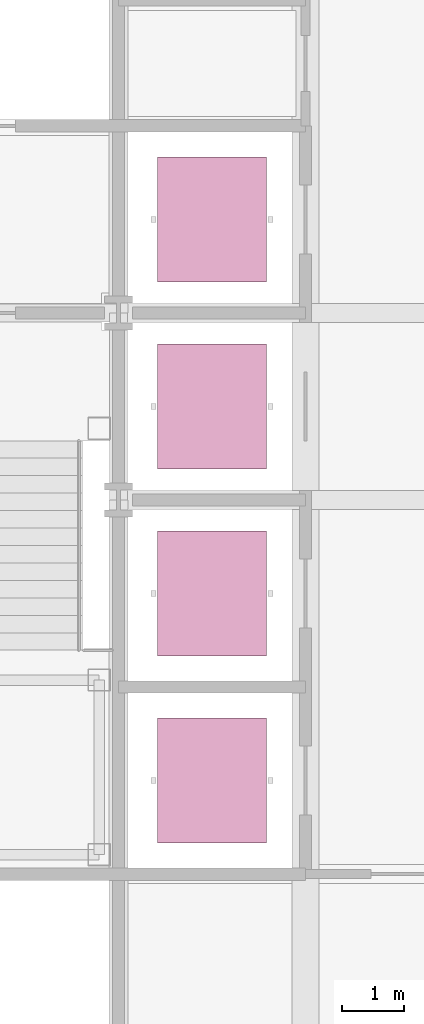
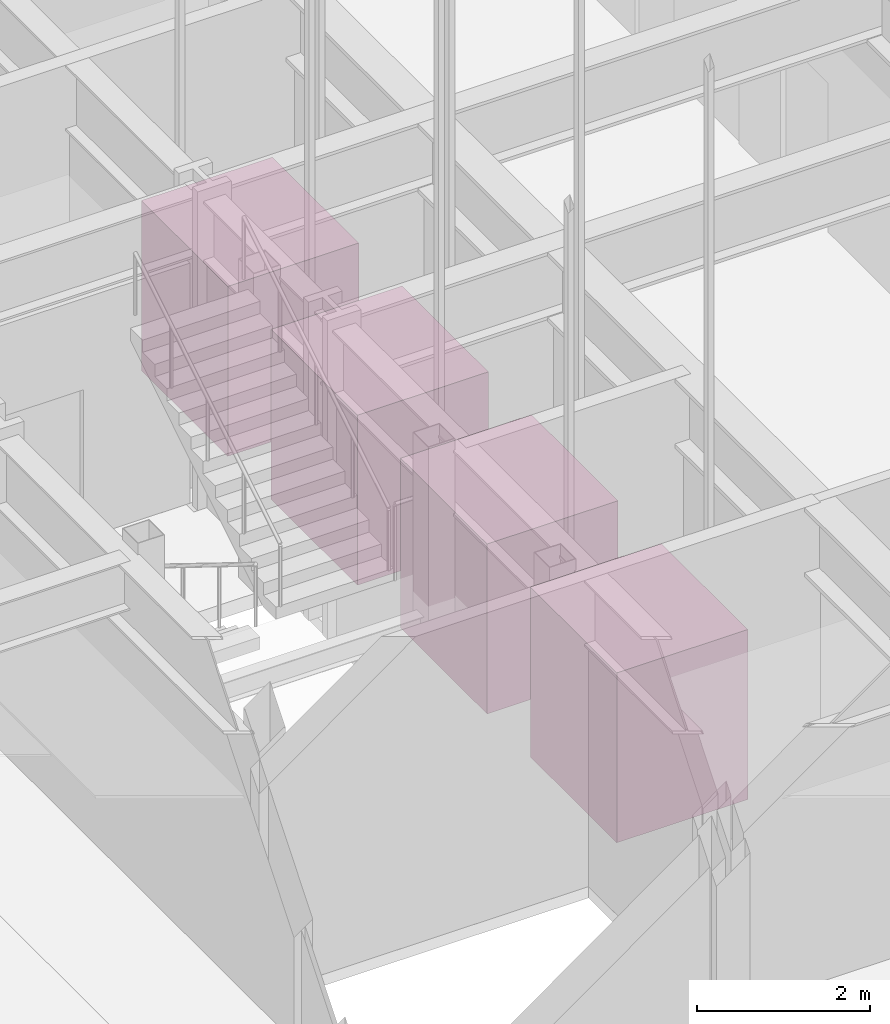
# One storey, part 16 of 24: 4 transport elements.
"""IFC4 building model written with IfcOpenShell, lengths in metres."""

from ifc_helpers import new_model, si_unit, direction, frame, origin, origin_2d, place, context, subcontext, project, spatial, rectangle, extrude, material, type_object, element, save


model = new_model("IFC4")

# Units and contexts
model_context = context("Model", 3, precision=1e-05, world=origin(), true_north=direction((0.0, 1.0)))
body_context = subcontext(model_context, "Body", "Model", "MODEL_VIEW")
ifc_project = project(units=[si_unit("LENGTHUNIT", "METRE"), si_unit("AREAUNIT", "SQUARE_METRE"), si_unit("VOLUMEUNIT", "CUBIC_METRE"), si_unit("PLANEANGLEUNIT", "RADIAN"), si_unit("MASSUNIT", "GRAM", prefix="KILO")], contexts=[model_context])

# Site, building, storey
site_placement = place(None, origin())
site = spatial("IfcSite", under=ifc_project, at=site_placement, CompositionType="ELEMENT")
building_placement = place(site_placement, origin())
building = spatial("IfcBuilding", under=site, at=building_placement, Name="Chuquiago Exchange Tower", CompositionType="ELEMENT")
storey_placement = place(building_placement, frame((0.0, 0.0, 257.699951171875)))
storey = spatial("IfcBuildingStorey", under=building, at=storey_placement, Name="L57", CompositionType="ELEMENT", Elevation=257.699951171875)

# Transport elements
ifc_material = material(Name="Lift car, stainless steel", Category="steel")
transport_element_type = type_object("IfcTransportElementType", Name="LP passenger lift 1600 kg", PredefinedType="ELEVATOR", material=ifc_material)
for number, where, z_axis, x_axis, name in (
    (1, (18.0, 16.5, 0.0), (0.0, 0.0, 1.0), (1.0, 0.0, 0.0), "Lift LD1"),
    (2, (18.0, 19.5, 0.0), (0.0, 0.0, 1.0), (1.0, 0.0, 0.0), "Lift LD2"),
    (3, (18.0, 22.5, 0.0), (0.0, 0.0, 1.0), (1.0, 0.0, 0.0), "Lift LD3"),
    (4, (18.0, 25.5, 0.0), (0.0, 0.0, 1.0), (1.0, 0.0, 0.0), "Lift LD4"),
):
    element("IfcTransportElement", number, at=place(storey_placement, frame(where, z_axis=z_axis, x_axis=x_axis)), inside=storey, type_object=transport_element_type, Name=name, PredefinedType="ELEVATOR", context=body_context, shape_type="SweptSolid", body=[
        extrude(rectangle(XDim=1.75, YDim=2.0, at=origin_2d()), origin(), (0.0, 0.0, 1.0), 2.39990234375),
    ])

save(model, "model.ifc")
